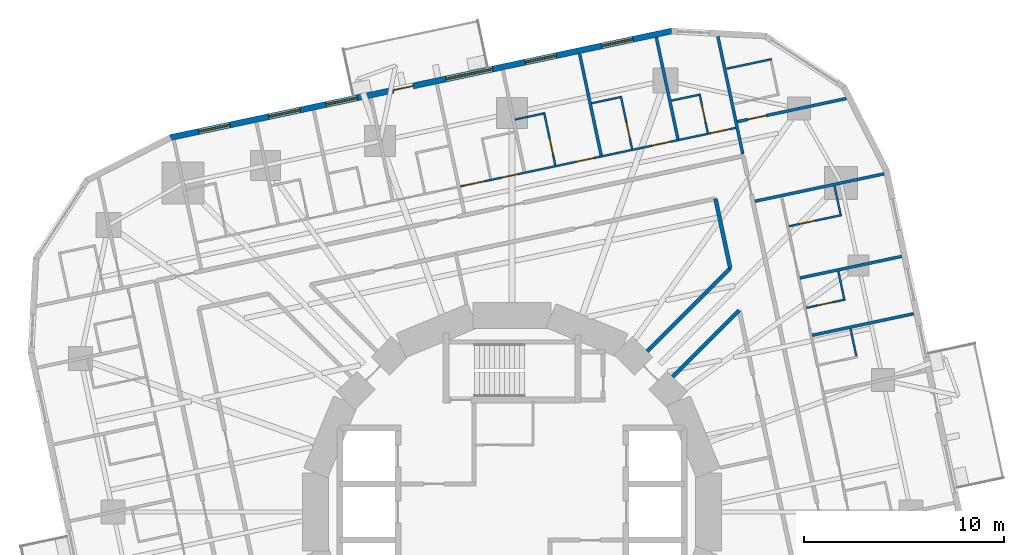
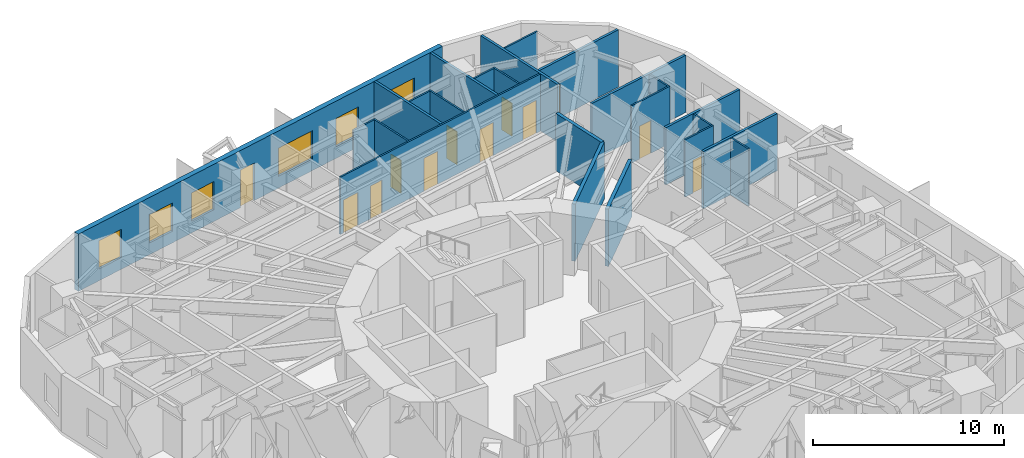
# One storey, part 11 of 14: 24 walls, 12 doors, 6 windows, 18 openings.
"""IFC4 building model written with IfcOpenShell, lengths in metres."""

from ifc_helpers import new_model, si_unit, direction, frame, frame_2d, origin, place, context, subcontext, project, spatial, rectangle, extrude, material, layer, layer_set, type_object, element, fill, save


model = new_model("IFC4")

# Units and contexts
model_context = context("Model", 3, precision=1e-05, world=origin(), true_north=direction((0.0, 1.0)))
body_context = subcontext(model_context, "Body", "Model", "MODEL_VIEW")
ifc_project = project(units=[si_unit("LENGTHUNIT", "METRE"), si_unit("AREAUNIT", "SQUARE_METRE"), si_unit("VOLUMEUNIT", "CUBIC_METRE"), si_unit("PLANEANGLEUNIT", "RADIAN"), si_unit("MASSUNIT", "GRAM", prefix="KILO")], contexts=[model_context])

# Site, building, storey
site_placement = place(None, origin())
site = spatial("IfcSite", under=ifc_project, at=site_placement, CompositionType="ELEMENT")
building_placement = place(site_placement, origin())
building = spatial("IfcBuilding", under=site, at=building_placement, Name="Nakasero Lantern House", CompositionType="ELEMENT")
storey_placement = place(building_placement, frame((0.0, 0.0, 105.0)))
storey = spatial("IfcBuildingStorey", under=building, at=storey_placement, Name="L25", CompositionType="ELEMENT", Elevation=105.0)

# Wall, openings, doors
ifc_material_1 = material(Name="Blockwork", Category="masonry")
ifc_layer_1 = layer(ifc_material_1, 0.10009765625)
ifc_layer_set_1 = layer_set([ifc_layer_1], Name="Cluster hall wall 100")
wall_type_1 = type_object("IfcWallType", Name="Cluster hall wall 100", PredefinedType="PARTITIONING", material=ifc_layer_set_1)
wall_1_placement = place(storey_placement, frame((11.1787109375, 19.193603515625, 0.0), z_axis=(0.0, 0.0, 1.0), x_axis=(-0.978149106543, -0.207904606415, 0.0)))
wall_1 = element("IfcWall", 1, at=wall_1_placement, inside=storey, type_object=wall_type_1, Name="Cluster hall wall L25 HW1-0", PredefinedType="PARTITIONING", context=body_context, shape_type="SweptSolid", body=[
    extrude(rectangle(XDim=14.073974609375, YDim=0.10009765625, at=frame_2d((7.037109375, 0.0))), origin(), (0.0, 0.0, 1.0), 3.64990234375),
])
opening_1_placement = place(wall_1_placement, frame((12.848876953125, 0.0, 0.0)))
opening_1 = element("IfcOpeningElement", 2, at=opening_1_placement, cuts=wall_1, Name="Opening D03", PredefinedType="OPENING", context=body_context, shape_type="SweptSolid", body=[
    extrude(rectangle(XDim=1.0, YDim=2.10009765625, at=frame_2d((0.5, 1.050048828125))), frame((0.0, 0.070068359375, 0.0), z_axis=(0.0, -1.0, 0.0), x_axis=(1.0, 0.0, 0.0)), (0.0, 0.0, 1.0), 0.14013671875),
])
opening_2_placement = place(wall_1_placement, frame((11.155029296875, 0.0, 0.0)))
opening_2 = element("IfcOpeningElement", 3, at=opening_2_placement, cuts=wall_1, Name="Opening D02", PredefinedType="OPENING", context=body_context, shape_type="SweptSolid", body=[
    extrude(rectangle(XDim=0.800048828125, YDim=2.10009765625, at=frame_2d((0.39990234375, 1.050048828125))), frame((0.0, 0.070068359375, 0.0), z_axis=(0.0, -1.0, 0.0), x_axis=(1.0, 0.0, 0.0)), (0.0, 0.0, 1.0), 0.14013671875),
])
opening_3_placement = place(wall_1_placement, frame((0.300048828125, 0.0, 0.0)))
opening_3 = element("IfcOpeningElement", 4, at=opening_3_placement, cuts=wall_1, Name="Opening D01", PredefinedType="OPENING", context=body_context, shape_type="SweptSolid", body=[
    extrude(rectangle(XDim=0.949951171875, YDim=2.10009765625, at=frame_2d((0.47509765625, 1.050048828125))), frame((0.0, 0.070068359375, 0.0), z_axis=(0.0, -1.0, 0.0), x_axis=(1.0, 0.0, 0.0)), (0.0, 0.0, 1.0), 0.14013671875),
])
opening_4_placement = place(wall_1_placement, frame((3.316162109375, 0.0, 0.0)))
opening_4 = element("IfcOpeningElement", 5, at=opening_4_placement, cuts=wall_1, Name="Opening D01", PredefinedType="OPENING", context=body_context, shape_type="SweptSolid", body=[
    extrude(rectangle(XDim=0.949951171875, YDim=2.10009765625, at=frame_2d((0.47509765625, 1.050048828125))), frame((0.0, 0.070068359375, 0.0), z_axis=(0.0, -1.0, 0.0), x_axis=(1.0, 0.0, 0.0)), (0.0, 0.0, 1.0), 0.14013671875),
])
opening_5_placement = place(wall_1_placement, frame((7.235595703125, 0.0, 0.0)))
opening_5 = element("IfcOpeningElement", 6, at=opening_5_placement, cuts=wall_1, Name="Opening D01", PredefinedType="OPENING", context=body_context, shape_type="SweptSolid", body=[
    extrude(rectangle(XDim=0.949951171875, YDim=2.10009765625, at=frame_2d((0.47509765625, 1.050048828125))), frame((0.0, 0.070068359375, 0.0), z_axis=(0.0, -1.0, 0.0), x_axis=(1.0, 0.0, 0.0)), (0.0, 0.0, 1.0), 0.14013671875),
])
ifc_material_2 = material(Name="Timber C24", Category="wood")
door_type_1 = type_object("IfcDoorType", Name="Bedroom door FD30S 950", OperationType="SINGLE_SWING_LEFT", PredefinedType="DOOR", material=ifc_material_2)
door_1_placement = place(opening_3_placement, origin())
door_1 = element("IfcDoor", 7, at=door_1_placement, inside=storey, type_object=door_type_1, Name="Door L25 D1-00", OperationType="SINGLE_SWING_LEFT", OverallHeight=2.10009765625, OverallWidth=0.949951171875, PredefinedType="DOOR", context=body_context, shape_type="SweptSolid", body=[
    extrude(rectangle(XDim=0.949951171875, YDim=2.10009765625, at=frame_2d((0.47509765625, 1.050048828125))), frame((0.0, 0.02490234375, 0.0), z_axis=(0.0, -1.0, 0.0), x_axis=(1.0, 0.0, 0.0)), (0.0, 0.0, 1.0), 0.050048828125),
])
fill(opening_3, door_1)
door_2_placement = place(opening_4_placement, origin())
door_2 = element("IfcDoor", 8, at=door_2_placement, inside=storey, type_object=door_type_1, Name="Door L25 D1-01", OperationType="SINGLE_SWING_LEFT", OverallHeight=2.10009765625, OverallWidth=0.949951171875, PredefinedType="DOOR", context=body_context, shape_type="SweptSolid", body=[
    extrude(rectangle(XDim=0.949951171875, YDim=2.10009765625, at=frame_2d((0.47509765625, 1.050048828125))), frame((0.0, 0.02490234375, 0.0), z_axis=(0.0, -1.0, 0.0), x_axis=(1.0, 0.0, 0.0)), (0.0, 0.0, 1.0), 0.050048828125),
])
fill(opening_4, door_2)
door_3_placement = place(opening_5_placement, origin())
door_3 = element("IfcDoor", 9, at=door_3_placement, inside=storey, type_object=door_type_1, Name="Door L25 D1-02", OperationType="SINGLE_SWING_RIGHT", OverallHeight=2.10009765625, OverallWidth=0.949951171875, PredefinedType="DOOR", context=body_context, shape_type="SweptSolid", body=[
    extrude(rectangle(XDim=0.949951171875, YDim=2.10009765625, at=frame_2d((0.47509765625, 1.050048828125))), frame((0.0, 0.02490234375, 0.0), z_axis=(0.0, -1.0, 0.0), x_axis=(1.0, 0.0, 0.0)), (0.0, 0.0, 1.0), 0.050048828125),
])
fill(opening_5, door_3)
ifc_material_3 = material(Name="Timber C24", Category="wood")
door_type_2 = type_object("IfcDoorType", Name="En-suite door 800", OperationType="SINGLE_SWING_RIGHT", PredefinedType="DOOR", material=ifc_material_3)
door_4_placement = place(opening_2_placement, origin())
door_4 = element("IfcDoor", 10, at=door_4_placement, inside=storey, type_object=door_type_2, Name="Door L25 DSH1-0", OperationType="SINGLE_SWING_RIGHT", OverallHeight=2.10009765625, OverallWidth=0.800048828125, PredefinedType="DOOR", context=body_context, shape_type="SweptSolid", body=[
    extrude(rectangle(XDim=0.800048828125, YDim=2.10009765625, at=frame_2d((0.39990234375, 1.050048828125))), frame((0.0, 0.02490234375, 0.0), z_axis=(0.0, -1.0, 0.0), x_axis=(1.0, 0.0, 0.0)), (0.0, 0.0, 1.0), 0.050048828125),
])
fill(opening_2, door_4)
ifc_material_4 = material(Name="Timber C24", Category="wood")
door_type_3 = type_object("IfcDoorType", Name="Lounge door FD30S 1000", OperationType="SINGLE_SWING_LEFT", PredefinedType="DOOR", material=ifc_material_4)
door_5_placement = place(opening_1_placement, origin())
door_5 = element("IfcDoor", 11, at=door_5_placement, inside=storey, type_object=door_type_3, Name="Door L25 DH1-0", OperationType="SINGLE_SWING_RIGHT", OverallHeight=2.10009765625, OverallWidth=1.0, PredefinedType="DOOR", context=body_context, shape_type="SweptSolid", body=[
    extrude(rectangle(XDim=1.0, YDim=2.10009765625, at=frame_2d((0.5, 1.050048828125))), frame((0.0, 0.02490234375, 0.0), z_axis=(0.0, -1.0, 0.0), x_axis=(1.0, 0.0, 0.0)), (0.0, 0.0, 1.0), 0.050048828125),
])
fill(opening_1, door_5)

# Walls
ifc_material_5 = material(Name="Blockwork", Category="masonry")
ifc_layer_2 = layer(ifc_material_5, 0.199951171875)
ifc_layer_set_2 = layer_set([ifc_layer_2], Name="Corridor wall 200")
wall_type_2 = type_object("IfcWallType", Name="Corridor wall 200", PredefinedType="PARTITIONING", material=ifc_layer_set_2)
wall_2_placement = place(storey_placement, frame((10.90625, 12.178955078125, 0.0), z_axis=(0.0, 0.0, 1.0), x_axis=(-0.207962251708, 0.978136852319, 0.0)))
element("IfcWall", 12, at=wall_2_placement, inside=storey, type_object=wall_type_2, Name="Corridor wall L25 IW0-1", PredefinedType="PARTITIONING", context=body_context, shape_type="SweptSolid", body=[
    extrude(rectangle(XDim=3.5546875, YDim=0.199951171875, at=frame_2d((1.77734375, 0.0))), origin(), (0.0, 0.0, 1.0), 3.64990234375),
])
wall_3_placement = place(storey_placement, frame((6.758544921875, 8.03125, 0.0), z_axis=(0.0, 0.0, 1.0), x_axis=(0.707106781187, 0.707106781187, 0.0)))
element("IfcWall", 13, at=wall_3_placement, inside=storey, type_object=wall_type_2, Name="Corridor wall L25 PS02a", PredefinedType="PARTITIONING", context=body_context, shape_type="SweptSolid", body=[
    extrude(rectangle(XDim=5.86572265625, YDim=0.199951171875, at=frame_2d((2.932861328125, 0.0))), origin(), (0.0, 0.0, 1.0), 3.64990234375),
])
wall_4_placement = place(storey_placement, frame((8.03125, 6.758544921875, 0.0), z_axis=(0.0, 0.0, 1.0), x_axis=(0.707106781187, 0.707106781187, 0.0)))
element("IfcWall", 14, at=wall_4_placement, inside=storey, type_object=wall_type_2, Name="Corridor wall L25 PS02b", PredefinedType="PARTITIONING", context=body_context, shape_type="SweptSolid", body=[
    extrude(rectangle(XDim=4.69677734375, YDim=0.199951171875, at=frame_2d((2.348388671875, 0.0))), origin(), (0.0, 0.0, 1.0), 3.64990234375),
])
ifc_material_6 = material(Name="Blockwork", Category="masonry")
ifc_layer_3 = layer(ifc_material_6, 0.10009765625)
ifc_layer_set_3 = layer_set([ifc_layer_3], Name="En-suite wall 100")
wall_type_3 = type_object("IfcWallType", Name="En-suite wall 100", PredefinedType="PARTITIONING", material=ifc_layer_set_3)
wall_5_placement = place(storey_placement, frame((17.2060546875, 7.79150390625, 0.0), z_axis=(0.0, 0.0, 1.0), x_axis=(-0.207873355681, 0.978155748334, 0.0)))
element("IfcWall", 15, at=wall_5_placement, inside=storey, type_object=wall_type_3, Name="En-suite wall L25 EE0-05", PredefinedType="PARTITIONING", context=body_context, shape_type="SweptSolid", body=[
    extrude(rectangle(XDim=1.39990234375, YDim=0.10009765625, at=frame_2d((0.699951171875, 0.0))), origin(), (0.0, 0.0, 1.0), 3.64990234375),
])

# Wall, opening, door
wall_6_placement = place(storey_placement, frame((14.70068359375, 10.19970703125, 0.0), z_axis=(0.0, 0.0, 1.0), x_axis=(0.978152955943, 0.207886494942, 0.0)))
wall_6 = element("IfcWall", 16, at=wall_6_placement, inside=storey, type_object=wall_type_3, Name="En-suite wall L25 ES0-06", PredefinedType="PARTITIONING", context=body_context, shape_type="SweptSolid", body=[
    extrude(rectangle(XDim=2.0, YDim=0.10009765625, at=frame_2d((1.0, 0.0))), origin(), (0.0, 0.0, 1.0), 3.64990234375),
])
opening_6_placement = place(wall_6_placement, frame((0.550048828125, 0.0, 0.0)))
opening_6 = element("IfcOpeningElement", 17, at=opening_6_placement, cuts=wall_6, Name="Opening D02", PredefinedType="OPENING", context=body_context, shape_type="SweptSolid", body=[
    extrude(rectangle(XDim=0.800048828125, YDim=2.10009765625, at=frame_2d((0.39990234375, 1.050048828125))), frame((0.0, 0.070068359375, 0.0), z_axis=(0.0, -1.0, 0.0), x_axis=(1.0, 0.0, 0.0)), (0.0, 0.0, 1.0), 0.14013671875),
])
door_6_placement = place(opening_6_placement, origin())
door_6 = element("IfcDoor", 18, at=door_6_placement, inside=storey, type_object=door_type_2, Name="Door L25 DE0-06", OperationType="SINGLE_SWING_LEFT", OverallHeight=2.10009765625, OverallWidth=0.800048828125, PredefinedType="DOOR", context=body_context, shape_type="SweptSolid", body=[
    extrude(rectangle(XDim=0.800048828125, YDim=2.10009765625, at=frame_2d((0.39990234375, 1.050048828125))), frame((0.0, 0.02490234375, 0.0), z_axis=(0.0, -1.0, 0.0), x_axis=(1.0, 0.0, 0.0)), (0.0, 0.0, 1.0), 0.050048828125),
])
fill(opening_6, door_6)

# Wall
wall_7_placement = place(storey_placement, frame((16.59765625, 10.654052734375, 0.0), z_axis=(0.0, 0.0, 1.0), x_axis=(-0.207873355681, 0.978155748334, 0.0)))
element("IfcWall", 19, at=wall_7_placement, inside=storey, type_object=wall_type_3, Name="En-suite wall L25 EE0-06", PredefinedType="PARTITIONING", context=body_context, shape_type="SweptSolid", body=[
    extrude(rectangle(XDim=1.39990234375, YDim=0.10009765625, at=frame_2d((0.699951171875, 0.0))), origin(), (0.0, 0.0, 1.0), 3.64990234375),
])

# Wall, opening, door
wall_8_placement = place(storey_placement, frame((13.833984375, 14.276611328125, 0.0), z_axis=(0.0, 0.0, 1.0), x_axis=(0.978137244908, 0.207960405185, 0.0)))
wall_8 = element("IfcWall", 20, at=wall_8_placement, inside=storey, type_object=wall_type_3, Name="En-suite wall L25 ES0-07", PredefinedType="PARTITIONING", context=body_context, shape_type="SweptSolid", body=[
    extrude(rectangle(XDim=2.7001953125, YDim=0.10009765625, at=frame_2d((1.35009765625, 0.0))), origin(), (0.0, 0.0, 1.0), 3.64990234375),
])
opening_7_placement = place(wall_8_placement, frame((0.550048828125, 0.0, 0.0)))
opening_7 = element("IfcOpeningElement", 21, at=opening_7_placement, cuts=wall_8, Name="Opening D02", PredefinedType="OPENING", context=body_context, shape_type="SweptSolid", body=[
    extrude(rectangle(XDim=0.800048828125, YDim=2.10009765625, at=frame_2d((0.39990234375, 1.050048828125))), frame((0.0, 0.070068359375, 0.0), z_axis=(0.0, -1.0, 0.0), x_axis=(1.0, 0.0, 0.0)), (0.0, 0.0, 1.0), 0.14013671875),
])
door_7_placement = place(opening_7_placement, origin())
door_7 = element("IfcDoor", 22, at=door_7_placement, inside=storey, type_object=door_type_2, Name="Door L25 DE0-07", OperationType="SINGLE_SWING_LEFT", OverallHeight=2.10009765625, OverallWidth=0.800048828125, PredefinedType="DOOR", context=body_context, shape_type="SweptSolid", body=[
    extrude(rectangle(XDim=0.800048828125, YDim=2.10009765625, at=frame_2d((0.39990234375, 1.050048828125))), frame((0.0, 0.02490234375, 0.0), z_axis=(0.0, -1.0, 0.0), x_axis=(1.0, 0.0, 0.0)), (0.0, 0.0, 1.0), 0.050048828125),
])
fill(opening_7, door_7)

# Walls
wall_9_placement = place(storey_placement, frame((16.415771484375, 14.87646484375, 0.0), z_axis=(0.0, 0.0, 1.0), x_axis=(-0.207919161079, 0.978146012851, 0.0)))
element("IfcWall", 23, at=wall_9_placement, inside=storey, type_object=wall_type_3, Name="En-suite wall L25 EE0-07", PredefinedType="PARTITIONING", context=body_context, shape_type="SweptSolid", body=[
    extrude(rectangle(XDim=1.4501953125, YDim=0.10009765625, at=frame_2d((0.72509765625, 0.0))), origin(), (0.0, 0.0, 1.0), 3.64990234375),
])
wall_10_placement = place(storey_placement, frame((10.72900390625, 22.150634765625, 0.0), z_axis=(0.0, 0.0, 1.0), x_axis=(0.978162897375, 0.207839712757, 0.0)))
element("IfcWall", 24, at=wall_10_placement, inside=storey, type_object=wall_type_3, Name="En-suite wall L25 EV0-08", PredefinedType="PARTITIONING", context=body_context, shape_type="SweptSolid", body=[
    extrude(rectangle(XDim=2.300048828125, YDim=0.10009765625, at=frame_2d((1.14990234375, 0.0))), origin(), (0.0, 0.0, 1.0), 3.64990234375),
])

# Wall, opening, door
wall_11_placement = place(storey_placement, frame((9.783203125, 18.947998046875, 0.0), z_axis=(0.0, 0.0, 1.0), x_axis=(-0.208003285743, 0.978128127149, 0.0)))
wall_11 = element("IfcWall", 25, at=wall_11_placement, inside=storey, type_object=wall_type_3, Name="En-suite wall L25 ES1-00", PredefinedType="PARTITIONING", context=body_context, shape_type="SweptSolid", body=[
    extrude(rectangle(XDim=2.0, YDim=0.10009765625, at=frame_2d((1.0, 0.0))), origin(), (0.0, 0.0, 1.0), 3.64990234375),
])
opening_8_placement = place(wall_11_placement, frame((0.550048828125, 0.0, 0.0)))
opening_8 = element("IfcOpeningElement", 26, at=opening_8_placement, cuts=wall_11, Name="Opening D02", PredefinedType="OPENING", context=body_context, shape_type="SweptSolid", body=[
    extrude(rectangle(XDim=0.800048828125, YDim=2.10009765625, at=frame_2d((0.39990234375, 1.050048828125))), frame((0.0, 0.070068359375, 0.0), z_axis=(0.0, -1.0, 0.0), x_axis=(1.0, 0.0, 0.0)), (0.0, 0.0, 1.0), 0.14013671875),
])
door_8_placement = place(opening_8_placement, origin())
door_8 = element("IfcDoor", 27, at=door_8_placement, inside=storey, type_object=door_type_2, Name="Door L25 DE1-00", OperationType="SINGLE_SWING_LEFT", OverallHeight=2.10009765625, OverallWidth=0.800048828125, PredefinedType="DOOR", context=body_context, shape_type="SweptSolid", body=[
    extrude(rectangle(XDim=0.800048828125, YDim=2.10009765625, at=frame_2d((0.39990234375, 1.050048828125))), frame((0.0, 0.02490234375, 0.0), z_axis=(0.0, -1.0, 0.0), x_axis=(1.0, 0.0, 0.0)), (0.0, 0.0, 1.0), 0.050048828125),
])
fill(opening_8, door_8)

# Wall
wall_12_placement = place(storey_placement, frame((9.328857421875, 20.844970703125, 0.0), z_axis=(0.0, 0.0, 1.0), x_axis=(-0.978155748334, -0.207873355681, 0.0)))
element("IfcWall", 28, at=wall_12_placement, inside=storey, type_object=wall_type_3, Name="En-suite wall L25 EE1-00", PredefinedType="PARTITIONING", context=body_context, shape_type="SweptSolid", body=[
    extrude(rectangle(XDim=1.39990234375, YDim=0.10009765625, at=frame_2d((0.699951171875, 0.0))), origin(), (0.0, 0.0, 1.0), 3.64990234375),
])

# Wall, opening, door
wall_13_placement = place(storey_placement, frame((5.998291015625, 18.1435546875, 0.0), z_axis=(0.0, 0.0, 1.0), x_axis=(-0.207960405185, 0.978137244908, 0.0)))
wall_13 = element("IfcWall", 29, at=wall_13_placement, inside=storey, type_object=wall_type_3, Name="En-suite wall L25 ES1-01", PredefinedType="PARTITIONING", context=body_context, shape_type="SweptSolid", body=[
    extrude(rectangle(XDim=2.7001953125, YDim=0.10009765625, at=frame_2d((1.35009765625, 0.0))), origin(), (0.0, 0.0, 1.0), 3.64990234375),
])
opening_9_placement = place(wall_13_placement, frame((0.550048828125, 0.0, 0.0)))
opening_9 = element("IfcOpeningElement", 30, at=opening_9_placement, cuts=wall_13, Name="Opening D02", PredefinedType="OPENING", context=body_context, shape_type="SweptSolid", body=[
    extrude(rectangle(XDim=0.800048828125, YDim=2.10009765625, at=frame_2d((0.39990234375, 1.050048828125))), frame((0.0, 0.070068359375, 0.0), z_axis=(0.0, -1.0, 0.0), x_axis=(1.0, 0.0, 0.0)), (0.0, 0.0, 1.0), 0.14013671875),
])
door_9_placement = place(opening_9_placement, origin())
door_9 = element("IfcDoor", 31, at=door_9_placement, inside=storey, type_object=door_type_2, Name="Door L25 DE1-01", OperationType="SINGLE_SWING_LEFT", OverallHeight=2.10009765625, OverallWidth=0.800048828125, PredefinedType="DOOR", context=body_context, shape_type="SweptSolid", body=[
    extrude(rectangle(XDim=0.800048828125, YDim=2.10009765625, at=frame_2d((0.39990234375, 1.050048828125))), frame((0.0, 0.02490234375, 0.0), z_axis=(0.0, -1.0, 0.0), x_axis=(1.0, 0.0, 0.0)), (0.0, 0.0, 1.0), 0.050048828125),
])
fill(opening_9, door_9)

# Wall
wall_14_placement = place(storey_placement, frame((5.398193359375, 20.725341796875, 0.0), z_axis=(0.0, 0.0, 1.0), x_axis=(-0.978138732977, -0.207953405961, 0.0)))
element("IfcWall", 32, at=wall_14_placement, inside=storey, type_object=wall_type_3, Name="En-suite wall L25 EE1-01", PredefinedType="PARTITIONING", context=body_context, shape_type="SweptSolid", body=[
    extrude(rectangle(XDim=1.449951171875, YDim=0.10009765625, at=frame_2d((0.72509765625, 0.0))), origin(), (0.0, 0.0, 1.0), 3.64990234375),
])

# Wall, opening, door
wall_15_placement = place(storey_placement, frame((2.164306640625, 17.32861328125, 0.0), z_axis=(0.0, 0.0, 1.0), x_axis=(-0.207873895514, 0.97815563361, 0.0)))
wall_15 = element("IfcWall", 33, at=wall_15_placement, inside=storey, type_object=wall_type_3, Name="En-suite wall L25 ES1-02", PredefinedType="PARTITIONING", context=body_context, shape_type="SweptSolid", body=[
    extrude(rectangle(XDim=2.7001953125, YDim=0.10009765625, at=frame_2d((1.35009765625, 0.0))), origin(), (0.0, 0.0, 1.0), 3.64990234375),
])
opening_10_placement = place(wall_15_placement, frame((0.550048828125, 0.0, 0.0)))
opening_10 = element("IfcOpeningElement", 34, at=opening_10_placement, cuts=wall_15, Name="Opening D02", PredefinedType="OPENING", context=body_context, shape_type="SweptSolid", body=[
    extrude(rectangle(XDim=0.800048828125, YDim=2.10009765625, at=frame_2d((0.39990234375, 1.050048828125))), frame((0.0, 0.070068359375, 0.0), z_axis=(0.0, -1.0, 0.0), x_axis=(1.0, 0.0, 0.0)), (0.0, 0.0, 1.0), 0.14013671875),
])
door_10_placement = place(opening_10_placement, origin())
door_10 = element("IfcDoor", 35, at=door_10_placement, inside=storey, type_object=door_type_2, Name="Door L25 DE1-02", OperationType="SINGLE_SWING_LEFT", OverallHeight=2.10009765625, OverallWidth=0.800048828125, PredefinedType="DOOR", context=body_context, shape_type="SweptSolid", body=[
    extrude(rectangle(XDim=0.800048828125, YDim=2.10009765625, at=frame_2d((0.39990234375, 1.050048828125))), frame((0.0, 0.02490234375, 0.0), z_axis=(0.0, -1.0, 0.0), x_axis=(1.0, 0.0, 0.0)), (0.0, 0.0, 1.0), 0.050048828125),
])
fill(opening_10, door_10)

# Wall
wall_16_placement = place(storey_placement, frame((1.564453125, 19.910400390625, 0.0), z_axis=(0.0, 0.0, 1.0), x_axis=(-0.978138732977, -0.207953405961, 0.0)))
element("IfcWall", 36, at=wall_16_placement, inside=storey, type_object=wall_type_3, Name="En-suite wall L25 EE1-02", PredefinedType="PARTITIONING", context=body_context, shape_type="SweptSolid", body=[
    extrude(rectangle(XDim=1.449951171875, YDim=0.10009765625, at=frame_2d((0.72509765625, 0.0))), origin(), (0.0, 0.0, 1.0), 3.64990234375),
])

# Wall, openings, door, windows
ifc_material_7 = material(Name="Aluminium rainscreen on blockwork", Category="masonry")
ifc_layer_4 = layer(ifc_material_7, 0.300048828125)
ifc_layer_set_4 = layer_set([ifc_layer_4], Name="Facade wall 300")
wall_type_4 = type_object("IfcWallType", Name="Facade wall 300", PredefinedType="SOLIDWALL", material=ifc_layer_set_4)
wall_17_placement = place(storey_placement, frame((7.9775390625, 24.03369140625, 0.0), z_axis=(0.0, 0.0, 1.0), x_axis=(-0.978148160964, -0.207909055127, 0.0)))
wall_17 = element("IfcWall", 37, at=wall_17_placement, inside=storey, type_object=wall_type_4, Name="Facade wall L25 FW1S", PredefinedType="SOLIDWALL", context=body_context, shape_type="SweptSolid", body=[
    extrude(rectangle(XDim=25.60009765625, YDim=0.300048828125, at=frame_2d((12.800048828125, 0.0))), origin(), (0.0, 0.0, 1.0), 3.64990234375),
])
opening_11_placement = place(wall_17_placement, frame((1.975830078125, 0.0, 0.75)))
opening_11 = element("IfcOpeningElement", 38, at=opening_11_placement, cuts=wall_17, Name="Opening W01", PredefinedType="OPENING", context=body_context, shape_type="SweptSolid", body=[
    extrude(rectangle(XDim=1.60009765625, YDim=1.800048828125, at=frame_2d((0.800048828125, 0.89990234375))), frame((0.0, 0.169921875, 0.0), z_axis=(0.0, -1.0, 0.0), x_axis=(1.0, 0.0, 0.0)), (0.0, 0.0, 1.0), 0.340087890625),
])
opening_12_placement = place(wall_17_placement, frame((5.8955078125, 0.0, 0.75)))
opening_12 = element("IfcOpeningElement", 39, at=opening_12_placement, cuts=wall_17, Name="Opening W01", PredefinedType="OPENING", context=body_context, shape_type="SweptSolid", body=[
    extrude(rectangle(XDim=1.60009765625, YDim=1.800048828125, at=frame_2d((0.800048828125, 0.89990234375))), frame((0.0, 0.169921875, 0.0), z_axis=(0.0, -1.0, 0.0), x_axis=(1.0, 0.0, 0.0)), (0.0, 0.0, 1.0), 0.340087890625),
])
opening_13_placement = place(wall_17_placement, frame((16.0556640625, 0.0, 0.75)))
opening_13 = element("IfcOpeningElement", 40, at=opening_13_placement, cuts=wall_17, Name="Opening W01", PredefinedType="OPENING", context=body_context, shape_type="SweptSolid", body=[
    extrude(rectangle(XDim=1.60009765625, YDim=1.800048828125, at=frame_2d((0.800048828125, 0.89990234375))), frame((0.0, 0.169921875, 0.0), z_axis=(0.0, -1.0, 0.0), x_axis=(1.0, 0.0, 0.0)), (0.0, 0.0, 1.0), 0.340087890625),
])
opening_14_placement = place(wall_17_placement, frame((18.982177734375, 0.0, 0.75)))
opening_14 = element("IfcOpeningElement", 41, at=opening_14_placement, cuts=wall_17, Name="Opening W01", PredefinedType="OPENING", context=body_context, shape_type="SweptSolid", body=[
    extrude(rectangle(XDim=1.60009765625, YDim=1.800048828125, at=frame_2d((0.800048828125, 0.89990234375))), frame((0.0, 0.169921875, 0.0), z_axis=(0.0, -1.0, 0.0), x_axis=(1.0, 0.0, 0.0)), (0.0, 0.0, 1.0), 0.340087890625),
])
opening_15_placement = place(wall_17_placement, frame((22.554443359375, 0.0, 0.75)))
opening_15 = element("IfcOpeningElement", 42, at=opening_15_placement, cuts=wall_17, Name="Opening W01", PredefinedType="OPENING", context=body_context, shape_type="SweptSolid", body=[
    extrude(rectangle(XDim=1.60009765625, YDim=1.800048828125, at=frame_2d((0.800048828125, 0.89990234375))), frame((0.0, 0.169921875, 0.0), z_axis=(0.0, -1.0, 0.0), x_axis=(1.0, 0.0, 0.0)), (0.0, 0.0, 1.0), 0.340087890625),
])
opening_16_placement = place(wall_17_placement, frame((9.139404296875, 0.0, 0.75)))
opening_16 = element("IfcOpeningElement", 43, at=opening_16_placement, cuts=wall_17, Name="Opening W03", PredefinedType="OPENING", context=body_context, shape_type="SweptSolid", body=[
    extrude(rectangle(XDim=2.39990234375, YDim=1.800048828125, at=frame_2d((1.199951171875, 0.89990234375))), frame((0.0, 0.169921875, 0.0), z_axis=(0.0, -1.0, 0.0), x_axis=(1.0, 0.0, 0.0)), (0.0, 0.0, 1.0), 0.340087890625),
])
opening_17_placement = place(wall_17_placement, frame((13.208251953125, 0.0, 0.0)))
opening_17 = element("IfcOpeningElement", 44, at=opening_17_placement, cuts=wall_17, Name="Opening D04", PredefinedType="OPENING", context=body_context, shape_type="SweptSolid", body=[
    extrude(rectangle(XDim=1.0, YDim=2.39990234375, at=frame_2d((0.5, 1.199951171875))), frame((0.0, 0.169921875, 0.0), z_axis=(0.0, -1.0, 0.0), x_axis=(1.0, 0.0, 0.0)), (0.0, 0.0, 1.0), 0.340087890625),
])
ifc_material_8 = material(Name="Aluminium 6063-T6 and glass", Category="aluminium")
door_type_4 = type_object("IfcDoorType", Name="Balcony door 1000x2400", OperationType="SINGLE_SWING_RIGHT", PredefinedType="DOOR", material=ifc_material_8)
door_11_placement = place(opening_17_placement, origin())
door_11 = element("IfcDoor", 45, at=door_11_placement, inside=storey, type_object=door_type_4, Name="Balcony door L25 DB1", OperationType="SINGLE_SWING_RIGHT", OverallHeight=2.39990234375, OverallWidth=1.0, PredefinedType="DOOR", context=body_context, shape_type="SweptSolid", body=[
    extrude(rectangle(XDim=1.0, YDim=2.39990234375, at=frame_2d((0.5, 1.199951171875))), frame((0.0, 0.02490234375, 0.0), z_axis=(0.0, -1.0, 0.0), x_axis=(1.0, 0.0, 0.0)), (0.0, 0.0, 1.0), 0.050048828125),
])
fill(opening_17, door_11)
ifc_material_9 = material(Name="Aluminium 6063-T6 and glass", Category="aluminium")
window_type_1 = type_object("IfcWindowType", Name="Bedroom window 1600x1800", PartitioningType="SINGLE_PANEL", PredefinedType="WINDOW", material=ifc_material_9)
window_1_placement = place(opening_11_placement, origin())
window_1 = element("IfcWindow", 46, at=window_1_placement, inside=storey, type_object=window_type_1, Name="Window L25 WN1-01", OverallHeight=1.800048828125, OverallWidth=1.60009765625, PartitioningType="SINGLE_PANEL", PredefinedType="WINDOW", context=body_context, shape_type="SweptSolid", body=[
    extrude(rectangle(XDim=1.60009765625, YDim=1.800048828125, at=frame_2d((0.800048828125, 0.89990234375))), frame((0.0, 0.030029296875, 0.0), z_axis=(0.0, -1.0, 0.0), x_axis=(1.0, 0.0, 0.0)), (0.0, 0.0, 1.0), 0.06005859375),
])
fill(opening_11, window_1)
window_2_placement = place(opening_12_placement, origin())
window_2 = element("IfcWindow", 47, at=window_2_placement, inside=storey, type_object=window_type_1, Name="Window L25 WN1-02", OverallHeight=1.800048828125, OverallWidth=1.60009765625, PartitioningType="SINGLE_PANEL", PredefinedType="WINDOW", context=body_context, shape_type="SweptSolid", body=[
    extrude(rectangle(XDim=1.60009765625, YDim=1.800048828125, at=frame_2d((0.800048828125, 0.89990234375))), frame((0.0, 0.030029296875, 0.0), z_axis=(0.0, -1.0, 0.0), x_axis=(1.0, 0.0, 0.0)), (0.0, 0.0, 1.0), 0.06005859375),
])
fill(opening_12, window_2)
window_3_placement = place(opening_13_placement, origin())
window_3 = element("IfcWindow", 48, at=window_3_placement, inside=storey, type_object=window_type_1, Name="Window L25 WN1-05", OverallHeight=1.800048828125, OverallWidth=1.60009765625, PartitioningType="SINGLE_PANEL", PredefinedType="WINDOW", context=body_context, shape_type="SweptSolid", body=[
    extrude(rectangle(XDim=1.60009765625, YDim=1.800048828125, at=frame_2d((0.800048828125, 0.89990234375))), frame((0.0, 0.030029296875, 0.0), z_axis=(0.0, -1.0, 0.0), x_axis=(1.0, 0.0, 0.0)), (0.0, 0.0, 1.0), 0.06005859375),
])
fill(opening_13, window_3)
window_4_placement = place(opening_14_placement, origin())
window_4 = element("IfcWindow", 49, at=window_4_placement, inside=storey, type_object=window_type_1, Name="Window L25 WN1-06", OverallHeight=1.800048828125, OverallWidth=1.60009765625, PartitioningType="SINGLE_PANEL", PredefinedType="WINDOW", context=body_context, shape_type="SweptSolid", body=[
    extrude(rectangle(XDim=1.60009765625, YDim=1.800048828125, at=frame_2d((0.800048828125, 0.89990234375))), frame((0.0, 0.030029296875, 0.0), z_axis=(0.0, -1.0, 0.0), x_axis=(1.0, 0.0, 0.0)), (0.0, 0.0, 1.0), 0.06005859375),
])
fill(opening_14, window_4)
window_5_placement = place(opening_15_placement, origin())
window_5 = element("IfcWindow", 50, at=window_5_placement, inside=storey, type_object=window_type_1, Name="Window L25 WN1-07", OverallHeight=1.800048828125, OverallWidth=1.60009765625, PartitioningType="SINGLE_PANEL", PredefinedType="WINDOW", context=body_context, shape_type="SweptSolid", body=[
    extrude(rectangle(XDim=1.60009765625, YDim=1.800048828125, at=frame_2d((0.800048828125, 0.89990234375))), frame((0.0, 0.030029296875, 0.0), z_axis=(0.0, -1.0, 0.0), x_axis=(1.0, 0.0, 0.0)), (0.0, 0.0, 1.0), 0.06005859375),
])
fill(opening_15, window_5)
ifc_material_10 = material(Name="Aluminium 6063-T6 and glass", Category="aluminium")
window_type_2 = type_object("IfcWindowType", Name="Lounge window 2400x1800", PartitioningType="SINGLE_PANEL", PredefinedType="WINDOW", material=ifc_material_10)
window_6_placement = place(opening_16_placement, origin())
window_6 = element("IfcWindow", 51, at=window_6_placement, inside=storey, type_object=window_type_2, Name="Window L25 WK1", OverallHeight=1.800048828125, OverallWidth=2.39990234375, PartitioningType="SINGLE_PANEL", PredefinedType="WINDOW", context=body_context, shape_type="SweptSolid", body=[
    extrude(rectangle(XDim=2.39990234375, YDim=1.800048828125, at=frame_2d((1.199951171875, 0.89990234375))), frame((0.0, 0.030029296875, 0.0), z_axis=(0.0, -1.0, 0.0), x_axis=(1.0, 0.0, 0.0)), (0.0, 0.0, 1.0), 0.06005859375),
])
fill(opening_16, window_6)

# Walls
ifc_material_11 = material(Name="Blockwork", Category="masonry")
ifc_layer_5 = layer(ifc_material_11, 0.14990234375)
ifc_layer_set_5 = layer_set([ifc_layer_5], Name="Party wall 150")
wall_type_5 = type_object("IfcWallType", Name="Party wall 150", PredefinedType="PARTITIONING", material=ifc_layer_set_5)
for number, where, z_axis, x_axis, name in (
    (52, (14.991943359375, 8.828857421875, 0.0), (0.0, 0.0, 1.0), (0.978151452323, 0.207893569688, 0.0), "Party wall L25 PW0-06"),
    (53, (14.383544921875, 11.69140625, 0.0), (0.0, 0.0, 1.0), (0.978151452323, 0.207893569688, 0.0), "Party wall L25 PW0-07"),
):
    element("IfcWall", number, at=place(storey_placement, frame(where, z_axis=z_axis, x_axis=x_axis)), inside=storey, type_object=wall_type_5, Name=name, PredefinedType="PARTITIONING", context=body_context, shape_type="SweptSolid", body=[
        extrude(rectangle(XDim=5.199951171875, YDim=0.14990234375, at=frame_2d((2.60009765625, 0.0))), origin(), (0.0, 0.0, 1.0), 3.64990234375),
    ])
wall_18_placement = place(storey_placement, frame((12.13720703125, 15.526123046875, 0.0), z_axis=(0.0, 0.0, 1.0), x_axis=(0.978144841009, 0.207924673876, 0.0)))
element("IfcWall", 54, at=wall_18_placement, inside=storey, type_object=wall_type_5, Name="Party wall L25 PW0-08", PredefinedType="PARTITIONING", context=body_context, shape_type="SweptSolid", body=[
    extrude(rectangle(XDim=6.60009765625, YDim=0.14990234375, at=frame_2d((3.300048828125, 0.0))), origin(), (0.0, 0.0, 1.0), 3.64990234375),
])

# Wall, opening, door
wall_19_placement = place(storey_placement, frame((11.256103515625, 19.502197265625, 0.0), z_axis=(0.0, 0.0, 1.0), x_axis=(0.978142361087, 0.207936339891, 0.0)))
wall_19 = element("IfcWall", 55, at=wall_19_placement, inside=storey, type_object=wall_type_5, Name="Party wall L25 PC0", PredefinedType="PARTITIONING", context=body_context, shape_type="SweptSolid", body=[
    extrude(rectangle(XDim=5.570068359375, YDim=0.14990234375, at=frame_2d((2.78515625, 0.0))), origin(), (0.0, 0.0, 1.0), 3.64990234375),
])
opening_18_placement = place(wall_19_placement, frame((0.534912109375, 0.0, 0.0)))
opening_18 = element("IfcOpeningElement", 56, at=opening_18_placement, cuts=wall_19, Name="Opening D01", PredefinedType="OPENING", context=body_context, shape_type="SweptSolid", body=[
    extrude(rectangle(XDim=0.949951171875, YDim=2.10009765625, at=frame_2d((0.47509765625, 1.050048828125))), frame((0.0, 0.094970703125, 0.0), z_axis=(0.0, -1.0, 0.0), x_axis=(1.0, 0.0, 0.0)), (0.0, 0.0, 1.0), 0.18994140625),
])
door_12_placement = place(opening_18_placement, origin())
door_12 = element("IfcDoor", 57, at=door_12_placement, inside=storey, type_object=door_type_1, Name="Door L25 DC0", OperationType="SINGLE_SWING_LEFT", OverallHeight=2.10009765625, OverallWidth=0.949951171875, PredefinedType="DOOR", context=body_context, shape_type="SweptSolid", body=[
    extrude(rectangle(XDim=0.949951171875, YDim=2.10009765625, at=frame_2d((0.47509765625, 1.050048828125))), frame((0.0, 0.02490234375, 0.0), z_axis=(0.0, -1.0, 0.0), x_axis=(1.0, 0.0, 0.0)), (0.0, 0.0, 1.0), 0.050048828125),
])
fill(opening_18, door_12)

# Walls
wall_20_placement = place(storey_placement, frame((11.53271484375, 17.888671875, 0.0), z_axis=(0.0, 0.0, 1.0), x_axis=(-0.207886494942, 0.978152955943, 0.0)))
element("IfcWall", 58, at=wall_20_placement, inside=storey, type_object=wall_type_5, Name="Party wall L25 PW1-00", PredefinedType="PARTITIONING", context=body_context, shape_type="SweptSolid", body=[
    extrude(rectangle(XDim=6.0, YDim=0.14990234375, at=frame_2d((3.0, 0.0))), origin(), (0.0, 0.0, 1.0), 3.64990234375),
])
for number, where, z_axis, x_axis, name in (
    (59, (8.29150390625, 18.631103515625, 0.0), (0.0, 0.0, 1.0), (-0.207948039247, 0.978139873931, 0.0), "Party wall L25 PW1-01"),
    (60, (4.45751953125, 17.816162109375, 0.0), (0.0, 0.0, 1.0), (-0.207893569688, 0.978151452323, 0.0), "Party wall L25 PW1-02"),
):
    element("IfcWall", number, at=place(storey_placement, frame(where, z_axis=z_axis, x_axis=x_axis)), inside=storey, type_object=wall_type_5, Name=name, PredefinedType="PARTITIONING", context=body_context, shape_type="SweptSolid", body=[
        extrude(rectangle(XDim=5.199951171875, YDim=0.14990234375, at=frame_2d((2.60009765625, 0.0))), origin(), (0.0, 0.0, 1.0), 3.64990234375),
    ])

save(model, "model.ifc")
